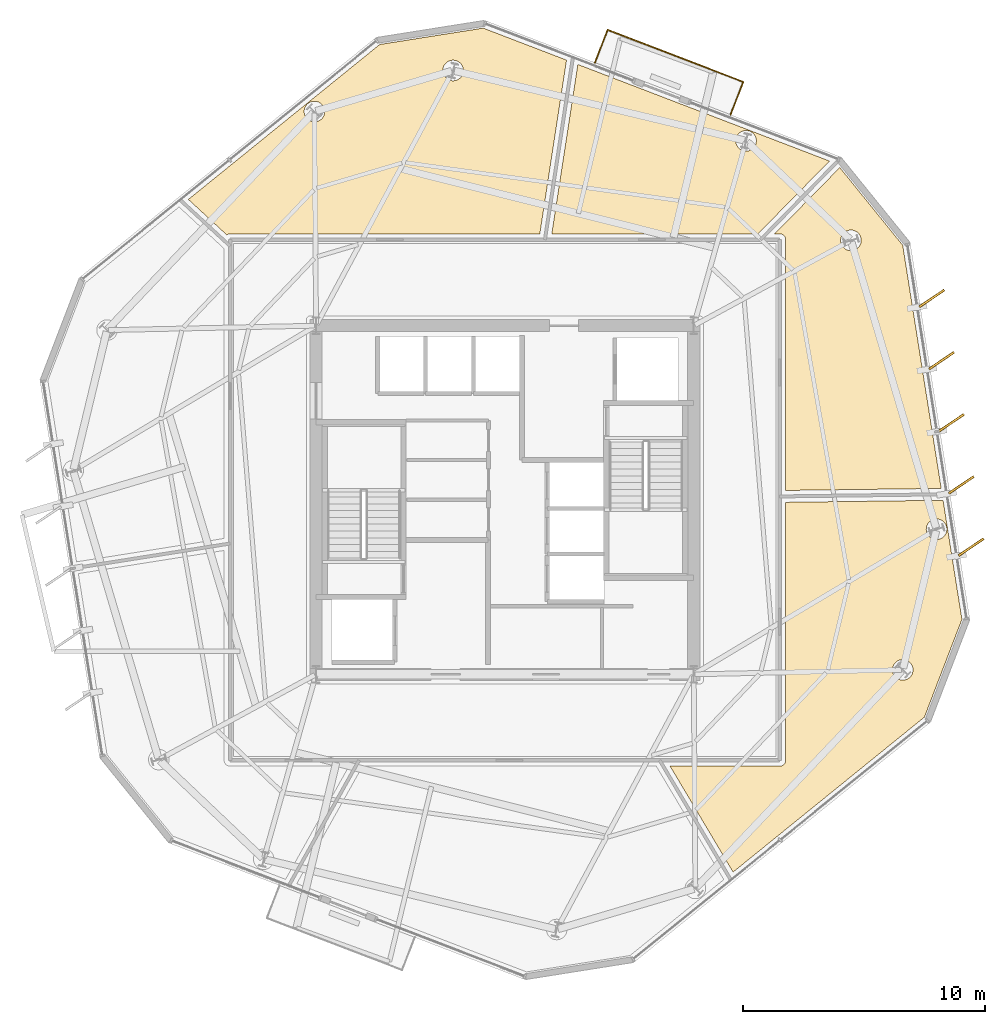
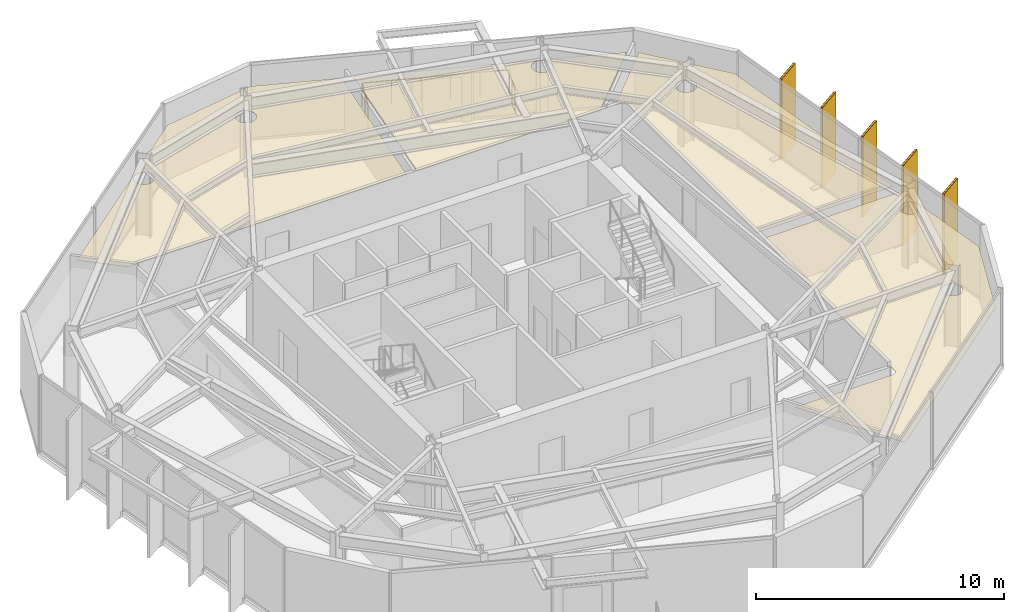
# One storey, part 12 of 12: 9 coverings, 5 shading devices, 1 railing.
"""IFC4 building model written with IfcOpenShell, lengths in metres."""

from ifc_helpers import new_model, si_unit, direction, frame, origin, origin_2d, place, context, subcontext, project, spatial, polyline, rectangle, circle, outline, extrude, material, layer, layer_set, type_object, element, save


model = new_model("IFC4")

# Units and contexts
model_context = context("Model", 3, precision=1e-05, world=origin(), true_north=direction((0.0, 1.0)))
body_context = subcontext(model_context, "Body", "Model", "MODEL_VIEW")
ifc_project = project(units=[si_unit("LENGTHUNIT", "METRE"), si_unit("AREAUNIT", "SQUARE_METRE"), si_unit("VOLUMEUNIT", "CUBIC_METRE"), si_unit("PLANEANGLEUNIT", "RADIAN"), si_unit("MASSUNIT", "GRAM", prefix="KILO")], contexts=[model_context])

# Site, building, storey
site_placement = place(None, origin())
site = spatial("IfcSite", under=ifc_project, at=site_placement, CompositionType="ELEMENT")
building_placement = place(site_placement, origin())
building = spatial("IfcBuilding", under=site, at=building_placement, Name="Kranzbogen Civic Tower", CompositionType="ELEMENT")
storey_placement = place(building_placement, frame((0.0, 0.0, 180.800048828125)))
storey = spatial("IfcBuildingStorey", under=building, at=storey_placement, Name="L43", CompositionType="ELEMENT", Elevation=180.800048828125)

# Coverings
ifc_material_1 = material(Name="Pale Anodised Aluminium", Category="aluminium")
ifc_layer_1 = layer(ifc_material_1, 0.02490234375, Name="Pale Anodised Aluminium")
ifc_layer_set_1 = layer_set([ifc_layer_1], Name="Pale Anodised Aluminium")
covering_type_1 = type_object("IfcCoveringType", Name="Anodised Aluminium Vertical Fin Cladding 25 mm", PredefinedType="CLADDING", material=ifc_layer_set_1)
for number, where, z_axis, x_axis, name in (
    (1, (44.258056640625, 23.052978515625, -0.14013671875), (0.0, 0.0, 1.0), (0.829174184407, 0.558990314686, 0.0), "L43 vertical fin pale-metal cladding F6-1"),
    (2, (43.85107421875, 25.62109375, -0.14013671875), (0.0, 0.0, 1.0), (0.829174184407, 0.558990314686, 0.0), "L43 vertical fin pale-metal cladding F6-2"),
    (3, (43.445068359375, 28.18896484375, -0.14013671875), (0.0, 0.0, 1.0), (0.829174184407, 0.558990314686, 0.0), "L43 vertical fin pale-metal cladding F6-3"),
    (4, (43.0380859375, 30.757080078125, -0.14013671875), (0.0, 0.0, 1.0), (0.829174184407, 0.558990314686, 0.0), "L43 vertical fin pale-metal cladding F6-4"),
    (5, (42.632080078125, 33.324951171875, -0.14013671875), (0.0, 0.0, 1.0), (0.829174184407, 0.558990314686, 0.0), "L43 vertical fin pale-metal cladding F6-5"),
):
    element("IfcCovering", number, at=place(storey_placement, frame(where, z_axis=z_axis, x_axis=x_axis)), inside=storey, type_object=covering_type_1, Name=name, PredefinedType="CLADDING", context=body_context, shape_type="SweptSolid", body=[
        extrude(rectangle(XDim=1.25, YDim=0.10009765625, at=origin_2d()), origin(), (0.0, 0.0, 1.0), 3.9599609375),
    ])

# Shading devices
ifc_material_2 = material(Name="Anodised Bronze Aluminium", Category="aluminium")
shading_device_type = type_object("IfcShadingDeviceType", Name="Anodised Bronze Vertical Facade Fin 1250x80", PredefinedType="USERDEFINED", material=ifc_material_2)
for number, where, z_axis, x_axis, name in (
    (6, (44.258056640625, 23.052978515625, -0.14013671875), (0.0, 0.0, 1.0), (0.829174184407, 0.558990314686, 0.0), "L43 vertical exterior shading fin F6-1"),
    (7, (43.85107421875, 25.62109375, -0.14013671875), (0.0, 0.0, 1.0), (0.829174184407, 0.558990314686, 0.0), "L43 vertical exterior shading fin F6-2"),
    (8, (43.445068359375, 28.18896484375, -0.14013671875), (0.0, 0.0, 1.0), (0.829174184407, 0.558990314686, 0.0), "L43 vertical exterior shading fin F6-3"),
    (9, (43.0380859375, 30.757080078125, -0.14013671875), (0.0, 0.0, 1.0), (0.829174184407, 0.558990314686, 0.0), "L43 vertical exterior shading fin F6-4"),
    (10, (42.632080078125, 33.324951171875, -0.14013671875), (0.0, 0.0, 1.0), (0.829174184407, 0.558990314686, 0.0), "L43 vertical exterior shading fin F6-5"),
):
    element("IfcShadingDevice", number, at=place(storey_placement, frame(where, z_axis=z_axis, x_axis=x_axis)), inside=storey, type_object=shading_device_type, Name=name, ObjectType="FIN", PredefinedType="USERDEFINED", context=body_context, shape_type="SweptSolid", body=[
        extrude(rectangle(XDim=1.25, YDim=0.080078125, at=origin_2d()), origin(), (0.0, 0.0, 1.0), 3.9599609375),
    ])

# Railing
railing_type = type_object("IfcRailingType", Name="Cantilevered Balcony Glass and Bronze Balustrade 1200", PredefinedType="BALUSTRADE", material=ifc_material_2)
railing_placement = place(storey_placement, frame((34.322998046875, 40.916015625, 0.0)))
element("IfcRailing", 11, at=railing_placement, inside=storey, type_object=railing_type, Name="L43 exterior terrace balustrade L43-TB1", PredefinedType="BALUSTRADE", context=body_context, shape_type="SweptSolid", body=[
    extrude(circle(Radius=0.02392578125, at=origin_2d()), frame((0.0, 0.0, 1.17578125), z_axis=(0.358527862476, 0.933519025959, 0.0), x_axis=(-0.933519025959, 0.358527862476, 0.0)), (0.0, 0.0, 1.0), 1.450439453125),
    extrude(circle(Radius=0.02392578125, at=origin_2d()), frame((0.52001953125, 1.35400390625, 1.17578125), z_axis=(-0.933588713349, 0.358346360812, 0.0), x_axis=(-0.358346360812, -0.933588713349, 0.0)), (0.0, 0.0, 1.0), 5.99951171875),
    extrude(circle(Radius=0.02392578125, at=origin_2d()), frame((-5.0810546875, 3.50390625, 1.17578125), z_axis=(-0.358527862476, -0.933519025959, 0.0), x_axis=(0.933519025959, -0.358527862476, 0.0)), (0.0, 0.0, 1.0), 1.450439453125),
    extrude(circle(Radius=0.02099609375, at=origin_2d()), origin(), (0.0, 0.0, 1.0), 1.15185546875),
    extrude(circle(Radius=0.02099609375, at=origin_2d()), frame((0.260009765625, 0.677001953125, 0.0)), (0.0, 0.0, 1.0), 1.15185546875),
    extrude(circle(Radius=0.02099609375, at=origin_2d()), frame((0.52001953125, 1.35400390625, 0.0)), (0.0, 0.0, 1.0), 1.15185546875),
    extrude(circle(Radius=0.02099609375, at=origin_2d()), frame((-0.60009765625, 1.783935546875, 0.0)), (0.0, 0.0, 1.0), 1.15185546875),
    extrude(circle(Radius=0.02099609375, at=origin_2d()), frame((-1.720458984375, 2.2138671875, 0.0)), (0.0, 0.0, 1.0), 1.15185546875),
    extrude(circle(Radius=0.02099609375, at=origin_2d()), frame((-2.840576171875, 2.64404296875, 0.0)), (0.0, 0.0, 1.0), 1.15185546875),
    extrude(circle(Radius=0.02099609375, at=origin_2d()), frame((-3.9609375, 3.073974609375, 0.0)), (0.0, 0.0, 1.0), 1.15185546875),
    extrude(circle(Radius=0.02099609375, at=origin_2d()), frame((-5.0810546875, 3.50390625, 0.0)), (0.0, 0.0, 1.0), 1.15185546875),
    extrude(circle(Radius=0.02099609375, at=origin_2d()), frame((-5.341064453125, 2.826904296875, 0.0)), (0.0, 0.0, 1.0), 1.15185546875),
    extrude(circle(Radius=0.02099609375, at=origin_2d()), frame((-5.60107421875, 2.14990234375, 0.0)), (0.0, 0.0, 1.0), 1.15185546875),
])

# Coverings
ifc_material_3 = material(Name="Perforated Acoustic Gypsum Ceiling")
ifc_layer_2 = layer(ifc_material_3, 0.02490234375, Name="Perforated Acoustic Gypsum Ceiling")
ifc_layer_set_2 = layer_set([ifc_layer_2], Name="Perforated Acoustic Gypsum Ceiling")
covering_type_2 = type_object("IfcCoveringType", Name="Perforated Acoustic Mineral Ceiling Tile 25 mm", PredefinedType="CEILING", material=ifc_layer_set_2)
covering_1_placement = place(storey_placement, frame((0.0, 0.0, 2.75)))
element("IfcCovering", 12, at=covering_1_placement, inside=storey, type_object=covering_type_2, Name="L43 Cultural Screening Clubroom acoustic ceiling", PredefinedType="CEILING", context=body_context, shape_type="SweptSolid", body=[
    extrude(outline(polyline([(42.3291015625, 16.031982421875), (34.425048828125, 9.631103515625), (31.823974609375, 14.0048828125), (36.35009765625, 14.0048828125), (36.35888671875, 14.0048828125), (36.364990234375, 14.006103515625), (36.383056640625, 14.007080078125), (36.388916015625, 14.008056640625), (36.406005859375, 14.011962890625), (36.4130859375, 14.012939453125), (36.429931640625, 14.01806640625), (36.43603515625, 14.02001953125), (36.451904296875, 14.027099609375), (36.4580078125, 14.030029296875), (36.472900390625, 14.0380859375), (36.47900390625, 14.0419921875), (36.492919921875, 14.051025390625), (36.498046875, 14.054931640625), (36.511962890625, 14.06591796875), (36.51708984375, 14.071044921875), (36.529052734375, 14.0830078125), (36.533935546875, 14.087890625), (36.544921875, 14.10205078125), (36.549072265625, 14.10693359375), (36.55810546875, 14.12109375), (36.56201171875, 14.126953125), (36.570068359375, 14.14208984375), (36.572998046875, 14.14794921875), (36.580078125, 14.1640625), (36.58203125, 14.169921875), (36.5869140625, 14.18701171875), (36.587890625, 14.194091796875), (36.592041015625, 14.2109375), (36.593017578125, 14.217041015625), (36.593994140625, 14.235107421875), (36.594970703125, 14.240966796875), (36.594970703125, 14.25), (36.594970703125, 24.905029296875), (43.09912109375, 24.989013671875), (43.8779296875, 20.070068359375), (42.3291015625, 16.031982421875)]), holes=[polyline([(41.825927734375, 17.821044921875), (41.80810546875, 17.782958984375), (41.787109375, 17.748046875), (41.761962890625, 17.714111328125), (41.73388671875, 17.68310546875), (41.702880859375, 17.655029296875), (41.6689453125, 17.6298828125), (41.634033203125, 17.60888671875), (41.595947265625, 17.591064453125), (41.556884765625, 17.576904296875), (41.51611328125, 17.56689453125), (41.47509765625, 17.56103515625), (41.43310546875, 17.55908203125), (41.39111328125, 17.56103515625), (41.35009765625, 17.56689453125), (41.30908203125, 17.576904296875), (41.27001953125, 17.591064453125), (41.23193359375, 17.60888671875), (41.197021484375, 17.6298828125), (41.1630859375, 17.655029296875), (41.132080078125, 17.68310546875), (41.10400390625, 17.714111328125), (41.0791015625, 17.748046875), (41.05810546875, 17.782958984375), (41.0400390625, 17.821044921875), (41.02587890625, 17.860107421875), (41.01611328125, 17.90087890625), (41.010009765625, 17.94189453125), (41.008056640625, 17.98388671875), (41.010009765625, 18.02587890625), (41.01611328125, 18.06689453125), (41.02587890625, 18.10791015625), (41.0400390625, 18.14697265625), (41.05810546875, 18.18505859375), (41.0791015625, 18.219970703125), (41.10400390625, 18.25390625), (41.132080078125, 18.284912109375), (41.1630859375, 18.31298828125), (41.197021484375, 18.337890625), (41.23193359375, 18.35888671875), (41.27001953125, 18.376953125), (41.30908203125, 18.39111328125), (41.35009765625, 18.40087890625), (41.39111328125, 18.406982421875), (41.43310546875, 18.408935546875), (41.47509765625, 18.406982421875), (41.51611328125, 18.40087890625), (41.556884765625, 18.39111328125), (41.595947265625, 18.376953125), (41.634033203125, 18.35888671875), (41.6689453125, 18.337890625), (41.702880859375, 18.31298828125), (41.73388671875, 18.284912109375), (41.761962890625, 18.25390625), (41.787109375, 18.219970703125), (41.80810546875, 18.18505859375), (41.825927734375, 18.14697265625), (41.840087890625, 18.10791015625), (41.85009765625, 18.06689453125), (41.85595703125, 18.02587890625), (41.85791015625, 17.98388671875), (41.85595703125, 17.94189453125), (41.85009765625, 17.90087890625), (41.840087890625, 17.860107421875), (41.825927734375, 17.821044921875)]), polyline([(43.220947265625, 23.6279296875), (43.202880859375, 23.590087890625), (43.181884765625, 23.554931640625), (43.156982421875, 23.52099609375), (43.12890625, 23.489990234375), (43.097900390625, 23.4619140625), (43.06396484375, 23.43701171875), (43.029052734375, 23.416015625), (42.990966796875, 23.39794921875), (42.951904296875, 23.384033203125), (42.910888671875, 23.3740234375), (42.8701171875, 23.367919921875), (42.827880859375, 23.365966796875), (42.785888671875, 23.367919921875), (42.7451171875, 23.3740234375), (42.7041015625, 23.384033203125), (42.6650390625, 23.39794921875), (42.626953125, 23.416015625), (42.592041015625, 23.43701171875), (42.55810546875, 23.4619140625), (42.527099609375, 23.489990234375), (42.4990234375, 23.52099609375), (42.47412109375, 23.554931640625), (42.452880859375, 23.590087890625), (42.43505859375, 23.6279296875), (42.4208984375, 23.6669921875), (42.410888671875, 23.7080078125), (42.405029296875, 23.7490234375), (42.403076171875, 23.791015625), (42.405029296875, 23.8330078125), (42.410888671875, 23.8740234375), (42.4208984375, 23.9150390625), (42.43505859375, 23.9541015625), (42.452880859375, 23.991943359375), (42.47412109375, 24.027099609375), (42.4990234375, 24.06103515625), (42.527099609375, 24.092041015625), (42.55810546875, 24.1201171875), (42.592041015625, 24.14501953125), (42.626953125, 24.166015625), (42.6650390625, 24.18408203125), (42.7041015625, 24.197998046875), (42.7451171875, 24.2080078125), (42.785888671875, 24.214111328125), (42.827880859375, 24.216064453125), (42.8701171875, 24.214111328125), (42.910888671875, 24.2080078125), (42.951904296875, 24.197998046875), (42.990966796875, 24.18408203125), (43.029052734375, 24.166015625), (43.06396484375, 24.14501953125), (43.097900390625, 24.1201171875), (43.12890625, 24.092041015625), (43.156982421875, 24.06103515625), (43.181884765625, 24.027099609375), (43.202880859375, 23.991943359375), (43.220947265625, 23.9541015625), (43.235107421875, 23.9150390625), (43.2451171875, 23.8740234375), (43.2509765625, 23.8330078125), (43.2529296875, 23.791015625), (43.2509765625, 23.7490234375), (43.2451171875, 23.7080078125), (43.235107421875, 23.6669921875), (43.220947265625, 23.6279296875)])]), origin(), (0.0, 0.0, 1.0), 0.02490234375),
])
covering_2_placement = place(storey_placement, frame((0.0, 0.0, 2.75)))
element("IfcCovering", 13, at=covering_2_placement, inside=storey, type_object=covering_type_2, Name="L43 Public Delegation Reception acoustic ceiling", PredefinedType="CEILING", context=body_context, shape_type="SweptSolid", body=[
    extrude(outline(polyline([(36.594970703125, 25.39501953125), (36.594970703125, 35.75), (36.594970703125, 35.759033203125), (36.593994140625, 35.764892578125), (36.593017578125, 35.782958984375), (36.592041015625, 35.7890625), (36.587890625, 35.805908203125), (36.5869140625, 35.81298828125), (36.58203125, 35.830078125), (36.580078125, 35.8359375), (36.572998046875, 35.85205078125), (36.570068359375, 35.85791015625), (36.56201171875, 35.873046875), (36.55810546875, 35.87890625), (36.549072265625, 35.89306640625), (36.544921875, 35.89794921875), (36.533935546875, 35.912109375), (36.529052734375, 35.9169921875), (36.51708984375, 35.928955078125), (36.511962890625, 35.93408203125), (36.498046875, 35.945068359375), (36.492919921875, 35.948974609375), (36.47900390625, 35.9580078125), (36.472900390625, 35.9619140625), (36.4580078125, 35.969970703125), (36.451904296875, 35.972900390625), (36.43603515625, 35.97998046875), (36.429931640625, 35.98193359375), (36.4130859375, 35.987060546875), (36.406005859375, 35.988037109375), (36.388916015625, 35.991943359375), (36.383056640625, 35.992919921875), (36.364990234375, 35.993896484375), (36.35888671875, 35.9951171875), (36.35009765625, 35.9951171875), (36.14404296875, 35.9951171875), (38.8330078125, 38.73193359375), (41.431884765625, 35.52197265625), (43.02197265625, 25.47802734375), (36.594970703125, 25.39501953125)]), holes=[polyline([(39.68603515625, 35.56103515625), (39.66796875, 35.52294921875), (39.64697265625, 35.488037109375), (39.6220703125, 35.4541015625), (39.593994140625, 35.423095703125), (39.56298828125, 35.39501953125), (39.529052734375, 35.3701171875), (39.493896484375, 35.34912109375), (39.4560546875, 35.3310546875), (39.4169921875, 35.31689453125), (39.3759765625, 35.306884765625), (39.3349609375, 35.301025390625), (39.29296875, 35.299072265625), (39.2509765625, 35.301025390625), (39.2099609375, 35.306884765625), (39.1689453125, 35.31689453125), (39.1298828125, 35.3310546875), (39.092041015625, 35.34912109375), (39.056884765625, 35.3701171875), (39.02294921875, 35.39501953125), (38.991943359375, 35.423095703125), (38.964111328125, 35.4541015625), (38.93896484375, 35.488037109375), (38.91796875, 35.52294921875), (38.89990234375, 35.56103515625), (38.885986328125, 35.60009765625), (38.8759765625, 35.64111328125), (38.8701171875, 35.681884765625), (38.867919921875, 35.72412109375), (38.8701171875, 35.76611328125), (38.8759765625, 35.806884765625), (38.885986328125, 35.847900390625), (38.89990234375, 35.886962890625), (38.91796875, 35.925048828125), (38.93896484375, 35.9599609375), (38.964111328125, 35.993896484375), (38.991943359375, 36.02490234375), (39.02294921875, 36.052978515625), (39.056884765625, 36.077880859375), (39.092041015625, 36.09912109375), (39.1298828125, 36.116943359375), (39.1689453125, 36.131103515625), (39.2099609375, 36.14111328125), (39.2509765625, 36.14697265625), (39.29296875, 36.14892578125), (39.3349609375, 36.14697265625), (39.3759765625, 36.14111328125), (39.4169921875, 36.131103515625), (39.4560546875, 36.116943359375), (39.493896484375, 36.09912109375), (39.529052734375, 36.077880859375), (39.56298828125, 36.052978515625), (39.593994140625, 36.02490234375), (39.6220703125, 35.993896484375), (39.64697265625, 35.9599609375), (39.66796875, 35.925048828125), (39.68603515625, 35.886962890625), (39.699951171875, 35.847900390625), (39.7099609375, 35.806884765625), (39.716064453125, 35.76611328125), (39.718017578125, 35.72412109375), (39.716064453125, 35.681884765625), (39.7099609375, 35.64111328125), (39.699951171875, 35.60009765625), (39.68603515625, 35.56103515625)])]), origin(), (0.0, 0.0, 1.0), 0.02490234375),
])
covering_3_placement = place(storey_placement, frame((0.0, 0.0, 2.75)))
element("IfcCovering", 14, at=covering_3_placement, inside=storey, type_object=covering_type_2, Name="L43 Visitor Concierge Foyer acoustic ceiling", PredefinedType="CEILING", context=body_context, shape_type="SweptSolid", body=[
    extrude(outline(polyline([(35.45703125, 35.9951171875), (26.93798828125, 35.9951171875), (28.013916015625, 42.989990234375), (38.408935546875, 39.0), (35.45703125, 35.9951171875)]), holes=[polyline([(35.35400390625, 39.672119140625), (35.3359375, 39.634033203125), (35.31494140625, 39.59912109375), (35.2900390625, 39.56494140625), (35.261962890625, 39.533935546875), (35.23095703125, 39.506103515625), (35.197021484375, 39.48095703125), (35.162109375, 39.4599609375), (35.1240234375, 39.44189453125), (35.0849609375, 39.427978515625), (35.0439453125, 39.41796875), (35.0029296875, 39.412109375), (34.9609375, 39.409912109375), (34.9189453125, 39.412109375), (34.8779296875, 39.41796875), (34.8369140625, 39.427978515625), (34.798095703125, 39.44189453125), (34.760009765625, 39.4599609375), (34.72509765625, 39.48095703125), (34.69091796875, 39.506103515625), (34.659912109375, 39.533935546875), (34.632080078125, 39.56494140625), (34.60693359375, 39.59912109375), (34.5859375, 39.634033203125), (34.568115234375, 39.672119140625), (34.553955078125, 39.7109375), (34.5439453125, 39.751953125), (34.5380859375, 39.79296875), (34.535888671875, 39.8349609375), (34.5380859375, 39.876953125), (34.5439453125, 39.91796875), (34.553955078125, 39.958984375), (34.568115234375, 39.998046875), (34.5859375, 40.035888671875), (34.60693359375, 40.071044921875), (34.632080078125, 40.10498046875), (34.659912109375, 40.135986328125), (34.69091796875, 40.1640625), (34.72509765625, 40.18896484375), (34.760009765625, 40.2099609375), (34.798095703125, 40.22802734375), (34.8369140625, 40.241943359375), (34.8779296875, 40.251953125), (34.9189453125, 40.258056640625), (34.9609375, 40.260009765625), (35.0029296875, 40.258056640625), (35.0439453125, 40.251953125), (35.0849609375, 40.241943359375), (35.1240234375, 40.22802734375), (35.162109375, 40.2099609375), (35.197021484375, 40.18896484375), (35.23095703125, 40.1640625), (35.261962890625, 40.135986328125), (35.2900390625, 40.10498046875), (35.31494140625, 40.071044921875), (35.3359375, 40.035888671875), (35.35400390625, 39.998046875), (35.367919921875, 39.958984375), (35.3779296875, 39.91796875), (35.384033203125, 39.876953125), (35.385986328125, 39.8349609375), (35.384033203125, 39.79296875), (35.3779296875, 39.751953125), (35.367919921875, 39.7109375), (35.35400390625, 39.672119140625)])]), origin(), (0.0, 0.0, 1.0), 0.02490234375),
])
covering_4_placement = place(storey_placement, frame((0.0, 0.0, 2.75)))
element("IfcCovering", 15, at=covering_4_placement, inside=storey, type_object=covering_type_2, Name="L43 Protocol Entrance Reception acoustic ceiling", PredefinedType="CEILING", context=body_context, shape_type="SweptSolid", body=[
    extrude(outline(polyline([(11.926025390625, 37.4140625), (19.830078125, 43.81494140625), (24.10302734375, 44.490966796875), (27.5458984375, 43.169921875), (26.443115234375, 35.9951171875), (13.64990234375, 35.9951171875), (13.64111328125, 35.9951171875), (13.635009765625, 35.993896484375), (13.616943359375, 35.992919921875), (13.611083984375, 35.991943359375), (13.593994140625, 35.988037109375), (13.5869140625, 35.987060546875), (13.570068359375, 35.98193359375), (13.56396484375, 35.97998046875), (13.548095703125, 35.972900390625), (13.5419921875, 35.969970703125), (13.527099609375, 35.9619140625), (13.52099609375, 35.9580078125), (13.510009765625, 35.950927734375), (11.926025390625, 37.4140625)]), holes=[polyline([(17.52587890625, 40.881103515625), (17.508056640625, 40.843017578125), (17.487060546875, 40.80810546875), (17.4619140625, 40.77392578125), (17.43408203125, 40.742919921875), (17.403076171875, 40.715087890625), (17.368896484375, 40.68994140625), (17.333984375, 40.6689453125), (17.2958984375, 40.65087890625), (17.257080078125, 40.636962890625), (17.216064453125, 40.626953125), (17.175048828125, 40.62109375), (17.133056640625, 40.618896484375), (17.091064453125, 40.62109375), (17.050048828125, 40.626953125), (17.009033203125, 40.636962890625), (16.969970703125, 40.65087890625), (16.931884765625, 40.6689453125), (16.89697265625, 40.68994140625), (16.863037109375, 40.715087890625), (16.83203125, 40.742919921875), (16.803955078125, 40.77392578125), (16.779052734375, 40.80810546875), (16.758056640625, 40.843017578125), (16.739990234375, 40.881103515625), (16.72607421875, 40.919921875), (16.716064453125, 40.9609375), (16.7099609375, 41.001953125), (16.7080078125, 41.0439453125), (16.7099609375, 41.0859375), (16.716064453125, 41.126953125), (16.72607421875, 41.16796875), (16.739990234375, 41.20703125), (16.758056640625, 41.2451171875), (16.779052734375, 41.280029296875), (16.803955078125, 41.31396484375), (16.83203125, 41.344970703125), (16.863037109375, 41.373046875), (16.89697265625, 41.39794921875), (16.931884765625, 41.4189453125), (16.969970703125, 41.43701171875), (17.009033203125, 41.450927734375), (17.050048828125, 41.4609375), (17.091064453125, 41.467041015625), (17.133056640625, 41.468994140625), (17.175048828125, 41.467041015625), (17.216064453125, 41.4609375), (17.257080078125, 41.450927734375), (17.2958984375, 41.43701171875), (17.333984375, 41.4189453125), (17.368896484375, 41.39794921875), (17.403076171875, 41.373046875), (17.43408203125, 41.344970703125), (17.4619140625, 41.31396484375), (17.487060546875, 41.280029296875), (17.508056640625, 41.2451171875), (17.52587890625, 41.20703125), (17.5400390625, 41.16796875), (17.550048828125, 41.126953125), (17.555908203125, 41.0859375), (17.55810546875, 41.0439453125), (17.555908203125, 41.001953125), (17.550048828125, 40.9609375), (17.5400390625, 40.919921875), (17.52587890625, 40.881103515625)]), polyline([(23.2529296875, 42.576904296875), (23.235107421875, 42.5390625), (23.214111328125, 42.50390625), (23.18896484375, 42.469970703125), (23.160888671875, 42.43896484375), (23.1298828125, 42.410888671875), (23.095947265625, 42.385986328125), (23.06103515625, 42.364990234375), (23.02294921875, 42.346923828125), (22.98388671875, 42.3330078125), (22.943115234375, 42.322998046875), (22.902099609375, 42.31689453125), (22.860107421875, 42.31494140625), (22.818115234375, 42.31689453125), (22.777099609375, 42.322998046875), (22.736083984375, 42.3330078125), (22.697021484375, 42.346923828125), (22.658935546875, 42.364990234375), (22.6240234375, 42.385986328125), (22.590087890625, 42.410888671875), (22.55908203125, 42.43896484375), (22.531005859375, 42.469970703125), (22.506103515625, 42.50390625), (22.485107421875, 42.5390625), (22.467041015625, 42.576904296875), (22.452880859375, 42.615966796875), (22.443115234375, 42.656982421875), (22.43701171875, 42.697998046875), (22.43505859375, 42.739990234375), (22.43701171875, 42.781982421875), (22.443115234375, 42.822998046875), (22.452880859375, 42.864013671875), (22.467041015625, 42.903076171875), (22.485107421875, 42.94091796875), (22.506103515625, 42.97607421875), (22.531005859375, 43.010009765625), (22.55908203125, 43.041015625), (22.590087890625, 43.069091796875), (22.6240234375, 43.093994140625), (22.658935546875, 43.114990234375), (22.697021484375, 43.133056640625), (22.736083984375, 43.14697265625), (22.777099609375, 43.156982421875), (22.818115234375, 43.1630859375), (22.860107421875, 43.1650390625), (22.902099609375, 43.1630859375), (22.943115234375, 43.156982421875), (22.98388671875, 43.14697265625), (23.02294921875, 43.133056640625), (23.06103515625, 43.114990234375), (23.095947265625, 43.093994140625), (23.1298828125, 43.069091796875), (23.160888671875, 43.041015625), (23.18896484375, 43.010009765625), (23.214111328125, 42.97607421875), (23.235107421875, 42.94091796875), (23.2529296875, 42.903076171875), (23.26708984375, 42.864013671875), (23.277099609375, 42.822998046875), (23.282958984375, 42.781982421875), (23.284912109375, 42.739990234375), (23.282958984375, 42.697998046875), (23.277099609375, 42.656982421875), (23.26708984375, 42.615966796875), (23.2529296875, 42.576904296875)])]), origin(), (0.0, 0.0, 1.0), 0.02490234375),
])

save(model, "model.ifc")
